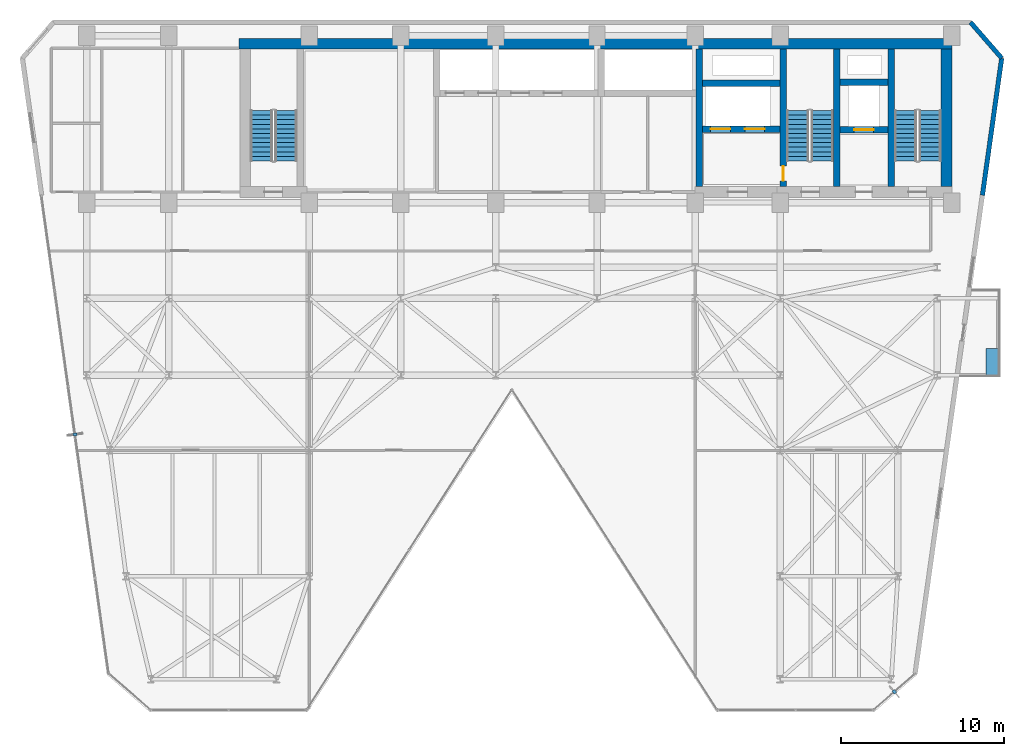
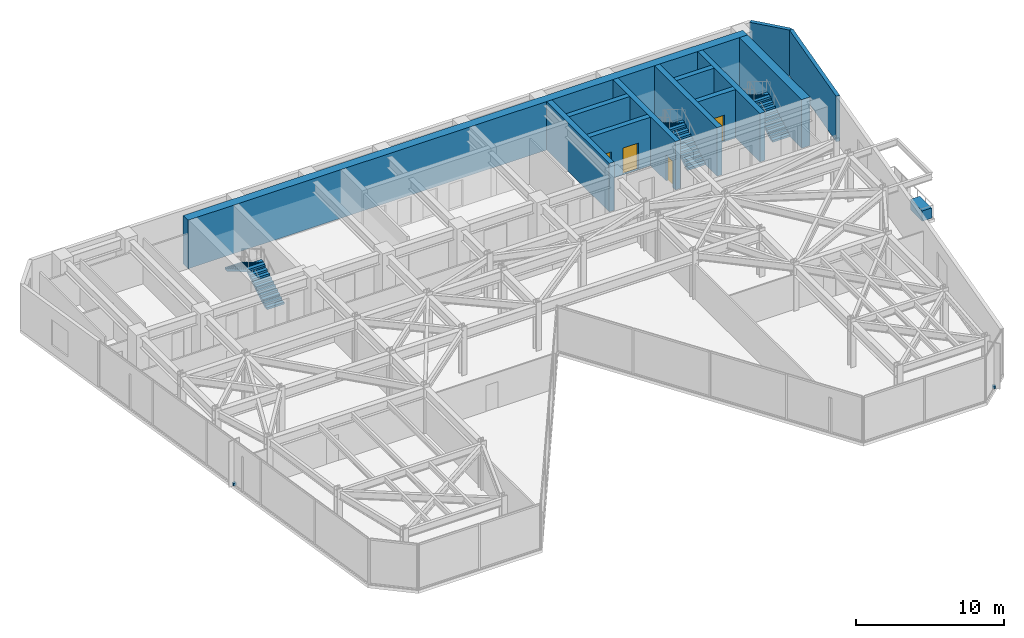
# One storey, part 23 of 26: 12 walls, 6 stair flights, 4 doors, 3 discrete accessories, 4 openings, 3 elements without a shape of their own.
"""IFC4 building model written with IfcOpenShell, lengths in metres."""

from ifc_helpers import new_model, si_unit, direction, frame, frame_2d, origin, origin_2d, place, context, subcontext, project, spatial, polyline, rectangle, outline, extrude, material, layer, layer_set, type_object, element, fill, aggregate, save


model = new_model("IFC4")

# Units and contexts
model_context = context("Model", 3, precision=1e-05, world=origin(), true_north=direction((0.0, 1.0)))
body_context = subcontext(model_context, "Body", "Model", "MODEL_VIEW")
ifc_project = project(units=[si_unit("LENGTHUNIT", "METRE"), si_unit("AREAUNIT", "SQUARE_METRE"), si_unit("VOLUMEUNIT", "CUBIC_METRE"), si_unit("PLANEANGLEUNIT", "RADIAN"), si_unit("MASSUNIT", "GRAM", prefix="KILO")], contexts=[model_context])

# Site, building, storey
site_placement = place(None, origin())
site = spatial("IfcSite", under=ifc_project, at=site_placement, CompositionType="ELEMENT")
building_placement = place(site_placement, origin())
building = spatial("IfcBuilding", under=site, at=building_placement, Name="Kravanh Interchange Tower", CompositionType="ELEMENT")
storey_placement = place(building_placement, frame((0.0, 0.0, 148.0)))
storey = spatial("IfcBuildingStorey", under=building, at=storey_placement, Name="L35", CompositionType="ELEMENT", Elevation=148.0)

# Walls
ifc_material_1 = material(Name="Concrete C70/85", Category="concrete")
ifc_layer_1 = layer(ifc_material_1, 0.64990234375)
ifc_layer_set_1 = layer_set([ifc_layer_1], Name="Core Shear Wall Concrete C70/85 650mm")
wall_type_1 = type_object("IfcWallType", Name="Core Shear Wall Concrete C70/85 650mm", PredefinedType="SHEAR", material=ifc_layer_set_1)
wall_1_placement = place(storey_placement, frame((22.89990234375, 47.074951171875, 0.0), z_axis=(0.0, 0.0, 1.0), x_axis=(1.0, 0.0, 0.0)))
element("IfcWall", 1, at=wall_1_placement, inside=storey, type_object=wall_type_1, Name="L35 North Core Shear Wall", PredefinedType="SHEAR", context=body_context, shape_type="SweptSolid", body=[
    extrude(rectangle(XDim=43.60009765625, YDim=0.64990234375, at=frame_2d((21.800048828125, 0.0))), origin(), (0.0, 0.0, 1.0), 4.0),
])
wall_2_placement = place(storey_placement, frame((66.175048828125, 38.324951171875, 0.0), z_axis=(0.0, 0.0, 1.0), x_axis=(0.0, 1.0, 0.0)))
element("IfcWall", 2, at=wall_2_placement, inside=storey, type_object=wall_type_1, Name="L35 Stair ST1 East Shear Wall", PredefinedType="SHEAR", context=body_context, shape_type="SweptSolid", body=[
    extrude(rectangle(XDim=8.425048828125, YDim=0.64990234375, at=frame_2d((4.21240234375, 0.0))), origin(), (0.0, 0.0, 1.0), 4.0),
])
ifc_material_2 = material(Name="Concrete C80/95", Category="concrete")
ifc_layer_2 = layer(ifc_material_2, 0.39990234375)
ifc_layer_set_2 = layer_set([ifc_layer_2], Name="Core Shear Wall Concrete C80/95 400mm")
wall_type_2 = type_object("IfcWallType", Name="Core Shear Wall Concrete C80/95 400mm", PredefinedType="SHEAR", material=ifc_layer_set_2)
for number, where, z_axis, x_axis, name in (
    (3, (62.800048828125, 38.324951171875, 0.0), (0.0, 0.0, 1.0), (0.0, 1.0, 0.0), "L35 Stair ST1 West Shear Wall"),
    (4, (59.449951171875, 38.324951171875, 0.0), (0.0, 0.0, 1.0), (0.0, 1.0, 0.0), "L35 Stair ST2 East Shear Wall"),
):
    element("IfcWall", number, at=place(storey_placement, frame(where, z_axis=z_axis, x_axis=x_axis)), inside=storey, type_object=wall_type_2, Name=name, PredefinedType="SHEAR", context=body_context, shape_type="SweptSolid", body=[
        extrude(rectangle(XDim=8.425048828125, YDim=0.39990234375, at=frame_2d((4.21240234375, 0.0))), origin(), (0.0, 0.0, 1.0), 4.0),
    ])

# Wall, opening, door
wall_3_placement = place(storey_placement, frame((56.199951171875, 38.324951171875, 0.0), z_axis=(0.0, 0.0, 1.0), x_axis=(0.0, 1.0, 0.0)))
wall_3 = element("IfcWall", 5, at=wall_3_placement, inside=storey, type_object=wall_type_2, Name="L35 Stair ST2 West Shear Wall", PredefinedType="SHEAR", context=body_context, shape_type="SweptSolid", body=[
    extrude(rectangle(XDim=8.425048828125, YDim=0.39990234375, at=frame_2d((4.21240234375, 0.0))), origin(), (0.0, 0.0, 1.0), 4.0),
])
opening_1_placement = place(wall_3_placement, frame((0.35498046875, 0.0, 0.0)))
opening_1 = element("IfcOpeningElement", 6, at=opening_1_placement, cuts=wall_3, Name="Opening D-STAIR-90", PredefinedType="OPENING", context=body_context, shape_type="SweptSolid", body=[
    extrude(rectangle(XDim=0.89990234375, YDim=2.14990234375, at=frame_2d((0.449951171875, 1.074951171875))), frame((0.0, 0.2099609375, 0.0), z_axis=(0.0, -1.0, 0.0), x_axis=(1.0, 0.0, 0.0)), (0.0, 0.0, 1.0), 0.419921875),
])
ifc_material_3 = material(Name="Structural Steel S355", Category="steel")
door_type_1 = type_object("IfcDoorType", Name="Fire-Rated Stair Lobby Door 900x2150", OperationType="NOTDEFINED", PredefinedType="DOOR", material=ifc_material_3)
door_1_placement = place(opening_1_placement, origin())
door_1 = element("IfcDoor", 7, at=door_1_placement, inside=storey, type_object=door_type_1, Name="L35 Firefighting Lobby to Stair ST2 Door", OperationType="SINGLE_SWING_LEFT", OverallHeight=2.14990234375, OverallWidth=0.89990234375, PredefinedType="DOOR", context=body_context, shape_type="SweptSolid", body=[
    extrude(rectangle(XDim=0.89990234375, YDim=2.14990234375, at=frame_2d((0.449951171875, 1.074951171875))), frame((0.0, 0.02490234375, 0.0), z_axis=(0.0, -1.0, 0.0), x_axis=(1.0, 0.0, 0.0)), (0.0, 0.0, 1.0), 0.050048828125),
])
fill(opening_1, door_1)

wall_4_placement = place(storey_placement, frame((59.64990234375, 41.800048828125, 0.0), z_axis=(0.0, 0.0, 1.0), x_axis=(1.0, 0.0, 0.0)))
wall_4 = element("IfcWall", 8, at=wall_4_placement, inside=storey, type_object=wall_type_2, Name="L35 Service Lift Shaft South Wall", PredefinedType="SHEAR", context=body_context, shape_type="SweptSolid", body=[
    extrude(rectangle(XDim=2.9501953125, YDim=0.39990234375, at=frame_2d((1.47509765625, 0.0))), origin(), (0.0, 0.0, 1.0), 4.0),
])
opening_2_placement = place(wall_4_placement, frame((0.8701171875, 0.0, 0.0)))
opening_2 = element("IfcOpeningElement", 9, at=opening_2_placement, cuts=wall_4, Name="Opening LD02", PredefinedType="OPENING", context=body_context, shape_type="SweptSolid", body=[
    extrude(rectangle(XDim=1.199951171875, YDim=2.199951171875, at=frame_2d((0.60009765625, 1.10009765625))), frame((0.0, 0.2099609375, 0.0), z_axis=(0.0, -1.0, 0.0), x_axis=(1.0, 0.0, 0.0)), (0.0, 0.0, 1.0), 0.419921875),
])
ifc_material_4 = material(Name="Stainless Steel 316", Category="steel")
door_type_2 = type_object("IfcDoorType", Name="Fire and Service Lift Sliding Landing Door 1200x2200", OperationType="DOUBLE_DOOR_SLIDING", PredefinedType="DOOR", material=ifc_material_4)
door_2_placement = place(opening_2_placement, origin())
door_2 = element("IfcDoor", 10, at=door_2_placement, inside=storey, type_object=door_type_2, Name="L35 Lift LS-01 Landing Door", OperationType="DOUBLE_DOOR_SLIDING", OverallHeight=2.199951171875, OverallWidth=1.199951171875, PredefinedType="DOOR", context=body_context, shape_type="SweptSolid", body=[
    extrude(rectangle(XDim=1.199951171875, YDim=2.199951171875, at=frame_2d((0.60009765625, 1.10009765625))), frame((0.0, 0.02490234375, 0.0), z_axis=(0.0, -1.0, 0.0), x_axis=(1.0, 0.0, 0.0)), (0.0, 0.0, 1.0), 0.050048828125),
])
fill(opening_2, door_2)

# Wall
wall_5_placement = place(storey_placement, frame((59.64990234375, 44.699951171875, 0.0), z_axis=(0.0, 0.0, 1.0), x_axis=(1.0, 0.0, 0.0)))
element("IfcWall", 11, at=wall_5_placement, inside=storey, type_object=wall_type_2, Name="L35 Service Lift Shaft North Wall", PredefinedType="SHEAR", context=body_context, shape_type="SweptSolid", body=[
    extrude(rectangle(XDim=2.9501953125, YDim=0.39990234375, at=frame_2d((1.47509765625, 0.0))), origin(), (0.0, 0.0, 1.0), 4.0),
])

# Wall, openings, doors
wall_6_placement = place(storey_placement, frame((51.25, 41.85009765625, 0.0), z_axis=(0.0, 0.0, 1.0), x_axis=(1.0, 0.0, 0.0)))
wall_6 = element("IfcWall", 12, at=wall_6_placement, inside=storey, type_object=wall_type_2, Name="L35 Fire Lift Shaft South Wall", PredefinedType="SHEAR", context=body_context, shape_type="SweptSolid", body=[
    extrude(rectangle(XDim=4.75, YDim=0.39990234375, at=frame_2d((2.375, 0.0))), origin(), (0.0, 0.0, 1.0), 4.0),
])
opening_3_placement = place(wall_6_placement, frame((0.5, 0.0, 0.0)))
opening_3 = element("IfcOpeningElement", 13, at=opening_3_placement, cuts=wall_6, Name="Opening LD02", PredefinedType="OPENING", context=body_context, shape_type="SweptSolid", body=[
    extrude(rectangle(XDim=1.199951171875, YDim=2.199951171875, at=frame_2d((0.60009765625, 1.10009765625))), frame((0.0, 0.2099609375, 0.0), z_axis=(0.0, -1.0, 0.0), x_axis=(1.0, 0.0, 0.0)), (0.0, 0.0, 1.0), 0.419921875),
])
opening_4_placement = place(wall_6_placement, frame((2.60009765625, 0.0, 0.0)))
opening_4 = element("IfcOpeningElement", 14, at=opening_4_placement, cuts=wall_6, Name="Opening LD02", PredefinedType="OPENING", context=body_context, shape_type="SweptSolid", body=[
    extrude(rectangle(XDim=1.199951171875, YDim=2.199951171875, at=frame_2d((0.60009765625, 1.10009765625))), frame((0.0, 0.2099609375, 0.0), z_axis=(0.0, -1.0, 0.0), x_axis=(1.0, 0.0, 0.0)), (0.0, 0.0, 1.0), 0.419921875),
])
door_3_placement = place(opening_3_placement, origin())
door_3 = element("IfcDoor", 15, at=door_3_placement, inside=storey, type_object=door_type_2, Name="L35 Lift FSAE-01 Landing Door", OperationType="DOUBLE_DOOR_SLIDING", OverallHeight=2.199951171875, OverallWidth=1.199951171875, PredefinedType="DOOR", context=body_context, shape_type="SweptSolid", body=[
    extrude(rectangle(XDim=1.199951171875, YDim=2.199951171875, at=frame_2d((0.60009765625, 1.10009765625))), frame((0.0, 0.02490234375, 0.0), z_axis=(0.0, -1.0, 0.0), x_axis=(1.0, 0.0, 0.0)), (0.0, 0.0, 1.0), 0.050048828125),
])
fill(opening_3, door_3)
door_4_placement = place(opening_4_placement, origin())
door_4 = element("IfcDoor", 16, at=door_4_placement, inside=storey, type_object=door_type_2, Name="L35 Lift FSAE-02 Landing Door", OperationType="DOUBLE_DOOR_SLIDING", OverallHeight=2.199951171875, OverallWidth=1.199951171875, PredefinedType="DOOR", context=body_context, shape_type="SweptSolid", body=[
    extrude(rectangle(XDim=1.199951171875, YDim=2.199951171875, at=frame_2d((0.60009765625, 1.10009765625))), frame((0.0, 0.02490234375, 0.0), z_axis=(0.0, -1.0, 0.0), x_axis=(1.0, 0.0, 0.0)), (0.0, 0.0, 1.0), 0.050048828125),
])
fill(opening_4, door_4)

# Walls
wall_7_placement = place(storey_placement, frame((51.25, 44.64990234375, 0.0), z_axis=(0.0, 0.0, 1.0), x_axis=(1.0, 0.0, 0.0)))
element("IfcWall", 17, at=wall_7_placement, inside=storey, type_object=wall_type_2, Name="L35 Fire Lift Shaft North Wall", PredefinedType="SHEAR", context=body_context, shape_type="SweptSolid", body=[
    extrude(rectangle(XDim=4.75, YDim=0.39990234375, at=frame_2d((2.375, 0.0))), origin(), (0.0, 0.0, 1.0), 4.0),
])
wall_8_placement = place(storey_placement, frame((51.050048828125, 38.324951171875, 0.0), z_axis=(0.0, 0.0, 1.0), x_axis=(0.0, 1.0, 0.0)))
element("IfcWall", 18, at=wall_8_placement, inside=storey, type_object=wall_type_2, Name="L35 Firefighting Lobby West Wall", PredefinedType="SHEAR", context=body_context, shape_type="SweptSolid", body=[
    extrude(rectangle(XDim=8.425048828125, YDim=0.39990234375, at=frame_2d((4.21240234375, 0.0))), origin(), (0.0, 0.0, 1.0), 4.0),
])
ifc_material_5 = material(Name="Insulated Precast Concrete C40/50 with Bronze Cladding", Category="concrete")
ifc_layer_3 = layer(ifc_material_5, 0.280029296875)
ifc_layer_set_3 = layer_set([ifc_layer_3], Name="Exterior Insulated Concrete C40/50 Bronze Spandrel Wall 280mm")
wall_type_3 = type_object("IfcWallType", Name="Exterior Insulated Concrete C40/50 Bronze Spandrel Wall 280mm", PredefinedType="STANDARD", material=ifc_layer_set_3)
wall_9_placement = place(storey_placement, frame((67.645263671875, 48.3798828125, 0.0), z_axis=(0.0, 0.0, 1.0), x_axis=(0.656070644076, -0.754699483226, 0.0)))
element("IfcWall", 19, at=wall_9_placement, inside=storey, type_object=wall_type_3, Name="L35 Exterior Wall 4", PredefinedType="STANDARD", context=body_context, shape_type="SweptSolid", body=[
    extrude(rectangle(XDim=2.908447265625, YDim=0.280029296875, at=frame_2d((1.4541015625, 0.0))), origin(), (0.0, 0.0, 1.0), 3.75),
])
wall_10_placement = place(storey_placement, frame((69.553466796875, 46.184814453125, 0.0), z_axis=(0.0, 0.0, 1.0), x_axis=(-0.139180610108, -0.990267013371, 0.0)))
element("IfcWall", 20, at=wall_10_placement, inside=storey, type_object=wall_type_3, Name="L35 Exterior Wall 5", PredefinedType="STANDARD", context=body_context, shape_type="SweptSolid", body=[
    extrude(rectangle(XDim=8.46728515625, YDim=0.280029296875, at=frame_2d((4.233642578125, 0.0))), origin(), (0.0, 0.0, 1.0), 3.75),
])

# Stair, stair flights
ifc_material_6 = material(Name="Concrete C50/60", Category="concrete")
stair_type = type_object("IfcStairType", Name="Core Fire Exit Dogleg Stair Concrete C50/60", PredefinedType="HALF_TURN_STAIR", material=ifc_material_6)
stair_1_placement = place(storey_placement, origin())
stair_1 = element("IfcStair", 21, at=stair_1_placement, inside=storey, type_object=stair_type, Name="L35 Exit Stair ST1", PredefinedType="HALF_TURN_STAIR")
ifc_material_7 = material(Name="Precast Concrete C50/60", Category="concrete")
ifc_layer_4 = layer(ifc_material_7, 0.199951171875)
ifc_layer_set_4 = layer_set([ifc_layer_4], Name="Precast Concrete C50/60 Stair Flight 1350mm")
stair_flight_type = type_object("IfcStairFlightType", Name="Precast Concrete C50/60 Stair Flight 1350mm", PredefinedType="STRAIGHT", material=ifc_layer_set_4)
stair_flight_1_placement = place(storey_placement, frame((65.175048828125, 39.89990234375, 0.0), z_axis=(0.0, 0.0, 1.0), x_axis=(0.0, 1.0, 0.0)))
stair_flight_1 = element("IfcStairFlight", 22, at=stair_flight_1_placement, type_object=stair_flight_type, Name="ST1 flight 1", NumberOfRisers=12, NumberOfTreads=11, PredefinedType="STRAIGHT", RiserHeight=0.166666667, TreadLength=0.28, context=body_context, shape_type="SweptSolid", body=[
    extrude(outline(polyline([(0.0, 0.0), (0.0, 0.166748046875), (0.280029296875, 0.166748046875), (0.280029296875, 0.333251953125), (0.56005859375, 0.333251953125), (0.56005859375, 0.5), (0.840087890625, 0.5), (0.840087890625, 0.666748046875), (1.1201171875, 0.666748046875), (1.1201171875, 0.833251953125), (1.39990234375, 0.833251953125), (1.39990234375, 1.0), (1.679931640625, 1.0), (1.679931640625, 1.166748046875), (1.9599609375, 1.166748046875), (1.9599609375, 1.333251953125), (2.239990234375, 1.333251953125), (2.239990234375, 1.5), (2.52001953125, 1.5), (2.52001953125, 1.666748046875), (2.800048828125, 1.666748046875), (2.800048828125, 1.833251953125), (3.080078125, 1.833251953125), (3.080078125, 2.0), (3.080078125, 1.658935546875), (0.29296875, 0.0), (0.0, 0.0)])), frame((0.0, 0.675048828125, 0.0), z_axis=(0.0, -1.0, 0.0), x_axis=(1.0, 0.0, 0.0)), (0.0, 0.0, 1.0), 1.35009765625),
])
stair_flight_2_placement = place(storey_placement, frame((63.675048828125, 42.97998046875, 2.0), z_axis=(0.0, 0.0, 1.0), x_axis=(0.0, -1.0, 0.0)))
stair_flight_2 = element("IfcStairFlight", 23, at=stair_flight_2_placement, type_object=stair_flight_type, Name="ST1 flight 2", NumberOfRisers=12, NumberOfTreads=11, PredefinedType="STRAIGHT", RiserHeight=0.166666667, TreadLength=0.28, context=body_context, shape_type="SweptSolid", body=[
    extrude(outline(polyline([(0.0, 0.0), (0.0, 0.166748046875), (0.280029296875, 0.166748046875), (0.280029296875, 0.333251953125), (0.56005859375, 0.333251953125), (0.56005859375, 0.5), (0.840087890625, 0.5), (0.840087890625, 0.666748046875), (1.1201171875, 0.666748046875), (1.1201171875, 0.833251953125), (1.39990234375, 0.833251953125), (1.39990234375, 1.0), (1.679931640625, 1.0), (1.679931640625, 1.166748046875), (1.9599609375, 1.166748046875), (1.9599609375, 1.333251953125), (2.239990234375, 1.333251953125), (2.239990234375, 1.5), (2.52001953125, 1.5), (2.52001953125, 1.666748046875), (2.800048828125, 1.666748046875), (2.800048828125, 1.833251953125), (3.080078125, 1.833251953125), (3.080078125, 2.0), (3.080078125, 1.658935546875), (0.29296875, 0.0), (0.0, 0.0)])), frame((0.0, 0.675048828125, 0.0), z_axis=(0.0, -1.0, 0.0), x_axis=(1.0, 0.0, 0.0)), (0.0, 0.0, 1.0), 1.35009765625),
])
aggregate(stair_1, [stair_flight_1, stair_flight_2])

stair_2_placement = place(storey_placement, origin())
stair_2 = element("IfcStair", 24, at=stair_2_placement, inside=storey, type_object=stair_type, Name="L35 Exit Stair ST2", PredefinedType="HALF_TURN_STAIR")
stair_flight_3_placement = place(storey_placement, frame((58.574951171875, 39.89990234375, 0.0), z_axis=(0.0, 0.0, 1.0), x_axis=(0.0, 1.0, 0.0)))
stair_flight_3 = element("IfcStairFlight", 25, at=stair_flight_3_placement, type_object=stair_flight_type, Name="ST2 flight 1", NumberOfRisers=12, NumberOfTreads=11, PredefinedType="STRAIGHT", RiserHeight=0.166666667, TreadLength=0.28, context=body_context, shape_type="SweptSolid", body=[
    extrude(outline(polyline([(0.0, 0.0), (0.0, 0.166748046875), (0.280029296875, 0.166748046875), (0.280029296875, 0.333251953125), (0.56005859375, 0.333251953125), (0.56005859375, 0.5), (0.840087890625, 0.5), (0.840087890625, 0.666748046875), (1.1201171875, 0.666748046875), (1.1201171875, 0.833251953125), (1.39990234375, 0.833251953125), (1.39990234375, 1.0), (1.679931640625, 1.0), (1.679931640625, 1.166748046875), (1.9599609375, 1.166748046875), (1.9599609375, 1.333251953125), (2.239990234375, 1.333251953125), (2.239990234375, 1.5), (2.52001953125, 1.5), (2.52001953125, 1.666748046875), (2.800048828125, 1.666748046875), (2.800048828125, 1.833251953125), (3.080078125, 1.833251953125), (3.080078125, 2.0), (3.080078125, 1.658935546875), (0.29296875, 0.0), (0.0, 0.0)])), frame((0.0, 0.675048828125, 0.0), z_axis=(0.0, -1.0, 0.0), x_axis=(1.0, 0.0, 0.0)), (0.0, 0.0, 1.0), 1.35009765625),
])
stair_flight_4_placement = place(storey_placement, frame((57.074951171875, 42.97998046875, 2.0), z_axis=(0.0, 0.0, 1.0), x_axis=(0.0, -1.0, 0.0)))
stair_flight_4 = element("IfcStairFlight", 26, at=stair_flight_4_placement, type_object=stair_flight_type, Name="ST2 flight 2", NumberOfRisers=12, NumberOfTreads=11, PredefinedType="STRAIGHT", RiserHeight=0.166666667, TreadLength=0.28, context=body_context, shape_type="SweptSolid", body=[
    extrude(outline(polyline([(0.0, 0.0), (0.0, 0.166748046875), (0.280029296875, 0.166748046875), (0.280029296875, 0.333251953125), (0.56005859375, 0.333251953125), (0.56005859375, 0.5), (0.840087890625, 0.5), (0.840087890625, 0.666748046875), (1.1201171875, 0.666748046875), (1.1201171875, 0.833251953125), (1.39990234375, 0.833251953125), (1.39990234375, 1.0), (1.679931640625, 1.0), (1.679931640625, 1.166748046875), (1.9599609375, 1.166748046875), (1.9599609375, 1.333251953125), (2.239990234375, 1.333251953125), (2.239990234375, 1.5), (2.52001953125, 1.5), (2.52001953125, 1.666748046875), (2.800048828125, 1.666748046875), (2.800048828125, 1.833251953125), (3.080078125, 1.833251953125), (3.080078125, 2.0), (3.080078125, 1.658935546875), (0.29296875, 0.0), (0.0, 0.0)])), frame((0.0, 0.675048828125, 0.0), z_axis=(0.0, -1.0, 0.0), x_axis=(1.0, 0.0, 0.0)), (0.0, 0.0, 1.0), 1.35009765625),
])
aggregate(stair_2, [stair_flight_3, stair_flight_4])

stair_3_placement = place(storey_placement, origin())
stair_3 = element("IfcStair", 27, at=stair_3_placement, inside=storey, type_object=stair_type, Name="L35 Exit Stair ST3", PredefinedType="HALF_TURN_STAIR")
stair_flight_5_placement = place(storey_placement, frame((25.77490234375, 39.89990234375, 0.0), z_axis=(0.0, 0.0, 1.0), x_axis=(0.0, 1.0, 0.0)))
stair_flight_5 = element("IfcStairFlight", 28, at=stair_flight_5_placement, type_object=stair_flight_type, Name="ST3 flight 1", NumberOfRisers=12, NumberOfTreads=11, PredefinedType="STRAIGHT", RiserHeight=0.166666667, TreadLength=0.28, context=body_context, shape_type="SweptSolid", body=[
    extrude(outline(polyline([(0.0, 0.0), (0.0, 0.166748046875), (0.280029296875, 0.166748046875), (0.280029296875, 0.333251953125), (0.56005859375, 0.333251953125), (0.56005859375, 0.5), (0.840087890625, 0.5), (0.840087890625, 0.666748046875), (1.1201171875, 0.666748046875), (1.1201171875, 0.833251953125), (1.39990234375, 0.833251953125), (1.39990234375, 1.0), (1.679931640625, 1.0), (1.679931640625, 1.166748046875), (1.9599609375, 1.166748046875), (1.9599609375, 1.333251953125), (2.239990234375, 1.333251953125), (2.239990234375, 1.5), (2.52001953125, 1.5), (2.52001953125, 1.666748046875), (2.800048828125, 1.666748046875), (2.800048828125, 1.833251953125), (3.080078125, 1.833251953125), (3.080078125, 2.0), (3.080078125, 1.658935546875), (0.29296875, 0.0), (0.0, 0.0)])), frame((0.0, 0.675048828125, 0.0), z_axis=(0.0, -1.0, 0.0), x_axis=(1.0, 0.0, 0.0)), (0.0, 0.0, 1.0), 1.35009765625),
])
stair_flight_6_placement = place(storey_placement, frame((24.27490234375, 42.97998046875, 2.0), z_axis=(0.0, 0.0, 1.0), x_axis=(0.0, -1.0, 0.0)))
stair_flight_6 = element("IfcStairFlight", 29, at=stair_flight_6_placement, type_object=stair_flight_type, Name="ST3 flight 2", NumberOfRisers=12, NumberOfTreads=11, PredefinedType="STRAIGHT", RiserHeight=0.166666667, TreadLength=0.28, context=body_context, shape_type="SweptSolid", body=[
    extrude(outline(polyline([(0.0, 0.0), (0.0, 0.166748046875), (0.280029296875, 0.166748046875), (0.280029296875, 0.333251953125), (0.56005859375, 0.333251953125), (0.56005859375, 0.5), (0.840087890625, 0.5), (0.840087890625, 0.666748046875), (1.1201171875, 0.666748046875), (1.1201171875, 0.833251953125), (1.39990234375, 0.833251953125), (1.39990234375, 1.0), (1.679931640625, 1.0), (1.679931640625, 1.166748046875), (1.9599609375, 1.166748046875), (1.9599609375, 1.333251953125), (2.239990234375, 1.333251953125), (2.239990234375, 1.5), (2.52001953125, 1.5), (2.52001953125, 1.666748046875), (2.800048828125, 1.666748046875), (2.800048828125, 1.833251953125), (3.080078125, 1.833251953125), (3.080078125, 2.0), (3.080078125, 1.658935546875), (0.29296875, 0.0), (0.0, 0.0)])), frame((0.0, 0.675048828125, 0.0), z_axis=(0.0, -1.0, 0.0), x_axis=(1.0, 0.0, 0.0)), (0.0, 0.0, 1.0), 1.35009765625),
])
aggregate(stair_3, [stair_flight_5, stair_flight_6])

# Discrete accessories
ifc_material_8 = material(Name="Stainless Steel 316", Category="steel")
discrete_accessory_type_1 = type_object("IfcDiscreteAccessoryType", Name="Solar Fin Curtain-Wall Mounting Bracket Stainless 316", PredefinedType="BRACKET", material=ifc_material_8)
for number, where, z_axis, x_axis, name in (
    (30, (12.881103515625, 23.16943359375, 0.0), (0.0, 0.0, 1.0), (-0.990268017027, -0.139173468924, 0.0), "L35 Solar Fin Mounting Bracket 1"),
    (31, (62.986328125, 7.429443359375, 0.0), (0.0, 0.0, 1.0), (0.656056045951, -0.754712173329, 0.0), "L35 Solar Fin Mounting Bracket 2"),
):
    element("IfcDiscreteAccessory", number, at=place(storey_placement, frame(where, z_axis=z_axis, x_axis=x_axis)), inside=storey, type_object=discrete_accessory_type_1, Name=name, PredefinedType="BRACKET", context=body_context, shape_type="SweptSolid", body=[
        extrude(rectangle(XDim=0.239990234375, YDim=0.179931640625, at=origin_2d()), origin(), (0.0, 0.0, 1.0), 0.219970703125),
    ])
ifc_material_9 = material(Name="Architectural GRC Concrete C40/50 with Root Barrier", Category="concrete")
discrete_accessory_type_2 = type_object("IfcDiscreteAccessoryType", Name="Structural Balcony Tree Planter Box Concrete C40/50 1600x750x850", PredefinedType="USERDEFINED", material=ifc_material_9)
discrete_accessory_placement = place(storey_placement, frame((68.969970703125, 27.6201171875, 0.0), z_axis=(0.0, 0.0, 1.0), x_axis=(1.0, 0.0, 0.0)))
element("IfcDiscreteAccessory", 32, at=discrete_accessory_placement, inside=storey, type_object=discrete_accessory_type_2, Name="L35 E Balcony TREE PLANTER", ObjectType="PLANTER", PredefinedType="USERDEFINED", context=body_context, shape_type="SweptSolid", body=[
    extrude(rectangle(XDim=0.75, YDim=1.60009765625, at=origin_2d()), origin(), (0.0, 0.0, 1.0), 0.85009765625),
])

save(model, "model.ifc")
